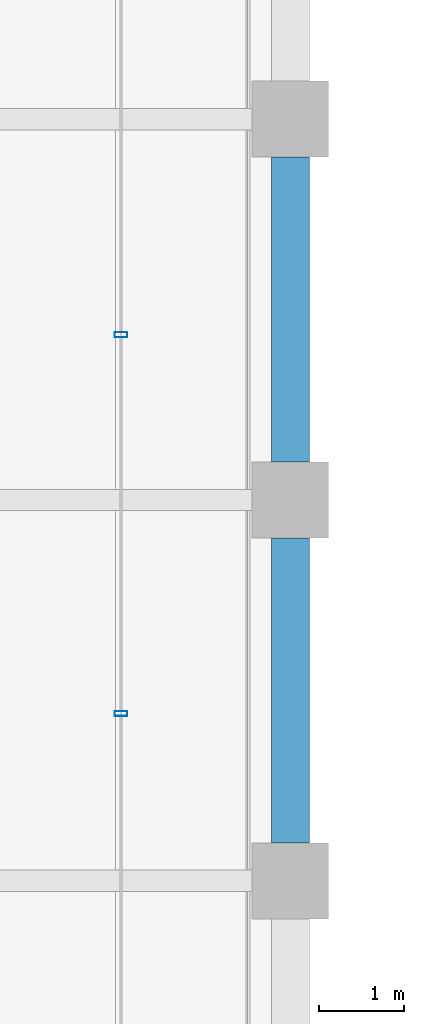
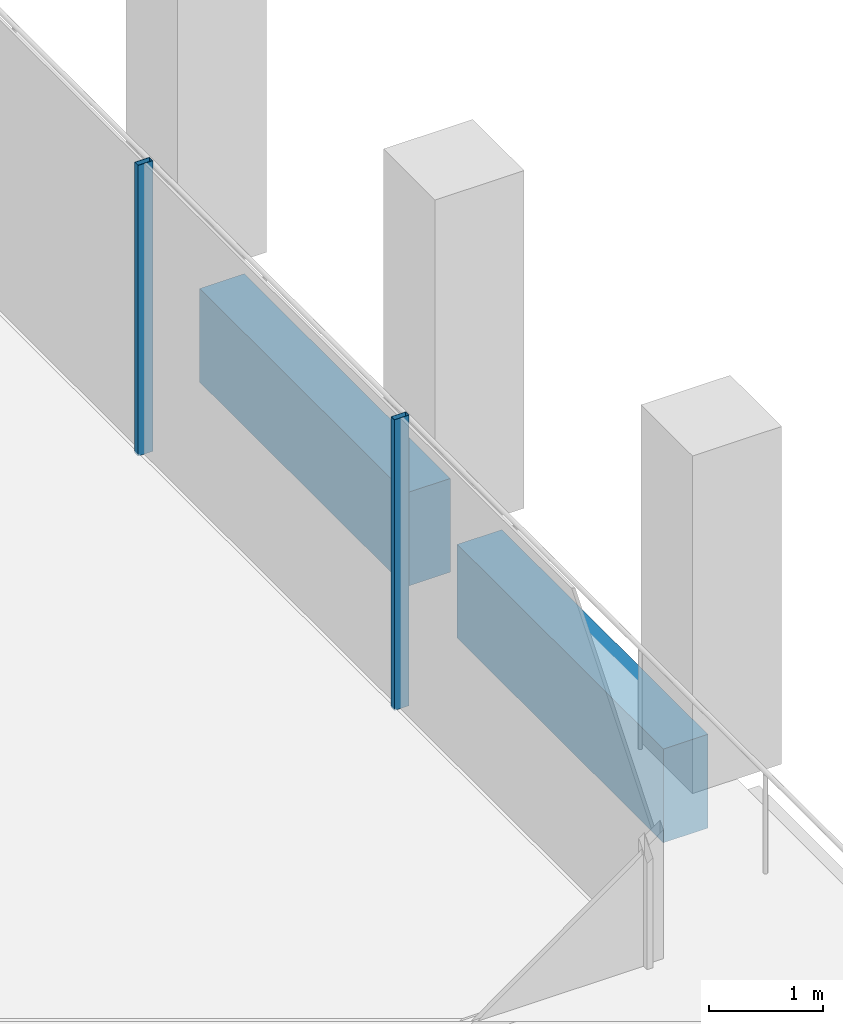
# One storey, part 15 of 40: 2 beams, 2 members, 1 element without a shape of its own.
"""IFC4 building model written with IfcOpenShell, lengths in metres."""

from ifc_helpers import new_model, si_unit, direction, frame, origin, origin_2d, place, context, subcontext, project, spatial, rectangle, hollow_rectangle, extrude, material, material_profile, profile_set, type_object, element, aggregate, save


model = new_model("IFC4")

# Units and contexts
model_context = context("Model", 3, precision=1e-05, world=origin(), true_north=direction((0.0, 1.0)))
body_context = subcontext(model_context, "Body", "Model", "MODEL_VIEW")
ifc_project = project(units=[si_unit("LENGTHUNIT", "METRE"), si_unit("AREAUNIT", "SQUARE_METRE"), si_unit("VOLUMEUNIT", "CUBIC_METRE"), si_unit("PLANEANGLEUNIT", "RADIAN"), si_unit("MASSUNIT", "GRAM", prefix="KILO")], contexts=[model_context])

# Site, building, storey
site_placement = place(None, origin())
site = spatial("IfcSite", under=ifc_project, at=site_placement, CompositionType="ELEMENT")
building_placement = place(site_placement, origin())
building = spatial("IfcBuilding", under=site, at=building_placement, Name="Altepetl Exchange Towers", CompositionType="ELEMENT")
storey_placement = place(building_placement, frame((0.0, 0.0, 158.199951171875)))
storey = spatial("IfcBuildingStorey", under=building, at=storey_placement, Name="L39", CompositionType="ELEMENT", Elevation=158.199951171875)

# Curtain wall, members
ifc_material_1 = material(Name="Aluminium 6063-T6 glazing", Category="aluminium")
curtain_wall_type = type_object("IfcCurtainWallType", Name="Loggia glazing system", PredefinedType="NOTDEFINED", material=ifc_material_1)
curtain_wall_placement = place(storey_placement, origin())
curtain_wall = element("IfcCurtainWall", 1, at=curtain_wall_placement, inside=storey, type_object=curtain_wall_type, Name="CW1 run", PredefinedType="NOTDEFINED")
ifc_material_2 = material(Name="Aluminium 6063-T6", Category="aluminium")
ifc_material_profile_1 = material_profile(ifc_material_2, hollow_rectangle(XDim=0.06005859375, YDim=0.14990234375, WallThickness=0.0029296875, at=origin_2d()), Name="Mullion 60x150 aluminium")
ifc_profile_set_1 = profile_set([ifc_material_profile_1], Name="Aluminium 6063-T6")
member_type = type_object("IfcMemberType", Name="Mullion 60x150 aluminium", PredefinedType="MULLION", material=ifc_profile_set_1)
member_1_placement = place(storey_placement, frame((70.0, 37.97607421875, 0.0), z_axis=(0.0, 0.0, 1.0), x_axis=(0.0, 1.0, 0.0)))
member_1 = element("IfcMember", 2, at=member_1_placement, type_object=member_type, Name="MU1 mullion", PredefinedType="MULLION", context=body_context, shape_type="SweptSolid", body=[
    extrude(hollow_rectangle(XDim=0.06005859375, YDim=0.14990234375, WallThickness=0.0029296875, at=origin_2d()), origin(), (0.0, 0.0, 1.0), 3.10009765625),
])
member_2_placement = place(storey_placement, frame((70.0, 42.451904296875, 0.0), z_axis=(0.0, 0.0, 1.0), x_axis=(0.0, 1.0, 0.0)))
member_2 = element("IfcMember", 3, at=member_2_placement, type_object=member_type, Name="MU1 mullion", PredefinedType="MULLION", context=body_context, shape_type="SweptSolid", body=[
    extrude(hollow_rectangle(XDim=0.06005859375, YDim=0.14990234375, WallThickness=0.0029296875, at=origin_2d()), origin(), (0.0, 0.0, 1.0), 3.10009765625),
])
aggregate(curtain_wall, [member_1, member_2])

# Beams
ifc_material_3 = material(Name="Concrete C50/60 precast with cantera amarilla facing", Category="concrete")
ifc_material_profile_2 = material_profile(ifc_material_3, rectangle(XDim=0.449951171875, YDim=1.0, at=origin_2d()), Name="450 x 1000")
ifc_profile_set_2 = profile_set([ifc_material_profile_2], Name="Concrete C50/60 precast with cantera amarilla facing")
beam_type = type_object("IfcBeamType", Name="Spandrel beam 450x1000 cantera amarilla", PredefinedType="SPANDREL", material=ifc_profile_set_2)
for number, where, z_axis, x_axis, name in (
    (4, (72.0, 36.449951171875, -0.64990234375), (0.0, 1.0, 0.0), (-1.0, 0.0, 0.0), "sp:A:L39:013"),
    (5, (72.0, 40.949951171875, -0.64990234375), (0.0, 1.0, 0.0), (-1.0, 0.0, 0.0), "sp:A:L39:014"),
):
    element("IfcBeam", number, at=place(storey_placement, frame(where, z_axis=z_axis, x_axis=x_axis)), inside=storey, type_object=beam_type, Name=name, PredefinedType="SPANDREL", context=body_context, shape_type="SweptSolid", body=[
        extrude(rectangle(XDim=0.449951171875, YDim=1.0, at=origin_2d()), origin(), (0.0, 0.0, 1.0), 3.60009765625),
    ])

save(model, "model.ifc")
